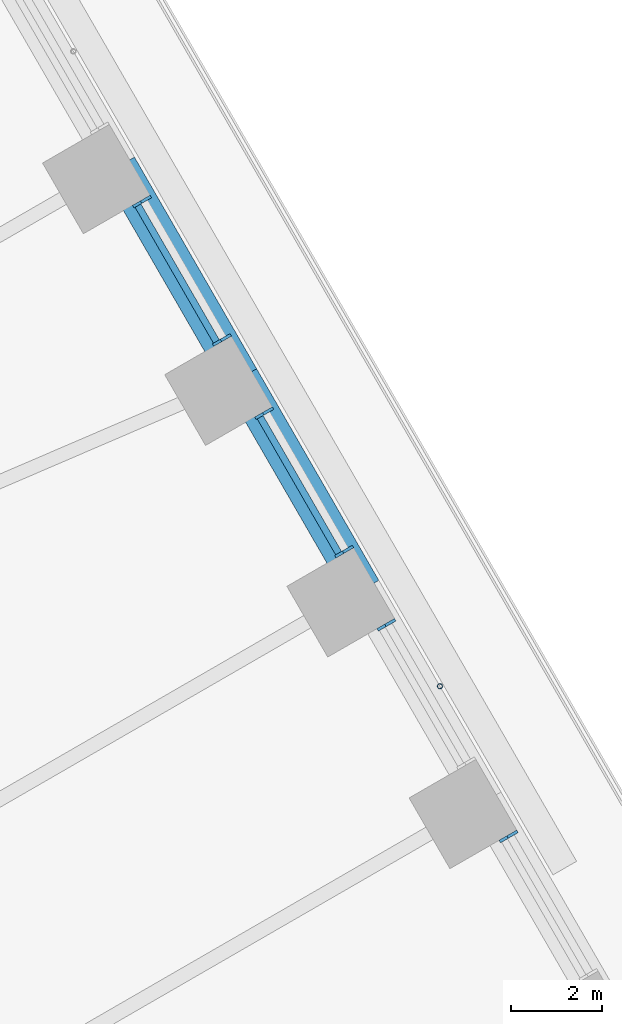
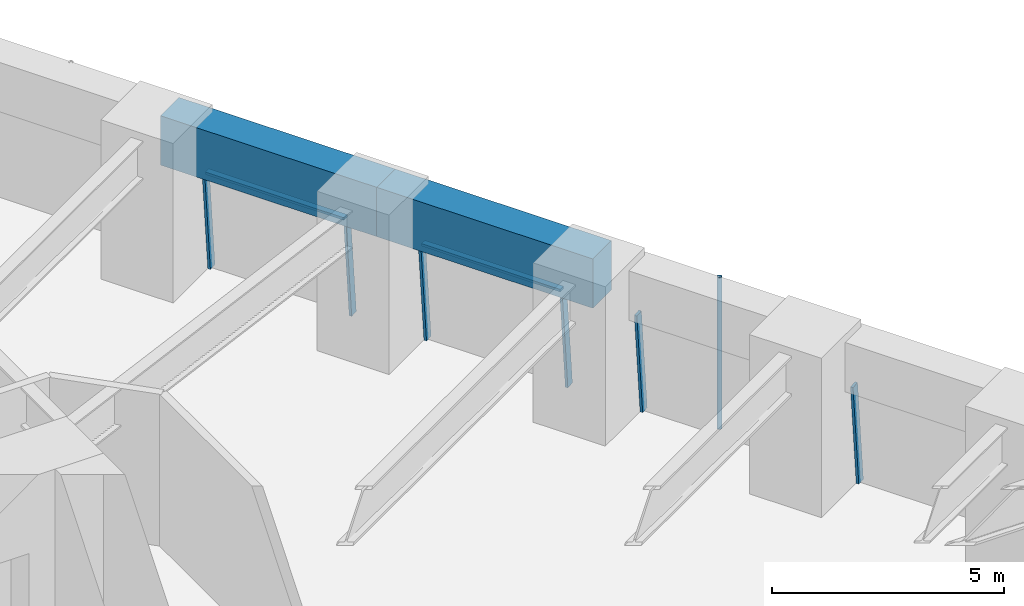
# One storey, part 13 of 23: 9 members, 2 beams, 4 elements without a shape of their own.
"""IFC4 building model written with IfcOpenShell, lengths in metres."""

from ifc_helpers import new_model, si_unit, direction, frame, origin, origin_2d, place, context, subcontext, project, spatial, rectangle, hollow_circle, extrude, material, material_profile, profile_set, type_object, element, aggregate, save


model = new_model("IFC4")

# Units and contexts
model_context = context("Model", 3, precision=1e-05, world=origin(), true_north=direction((0.0, 1.0)))
body_context = subcontext(model_context, "Body", "Model", "MODEL_VIEW")
ifc_project = project(units=[si_unit("LENGTHUNIT", "METRE"), si_unit("AREAUNIT", "SQUARE_METRE"), si_unit("VOLUMEUNIT", "CUBIC_METRE"), si_unit("PLANEANGLEUNIT", "RADIAN"), si_unit("MASSUNIT", "GRAM", prefix="KILO")], contexts=[model_context])

# Site, building, storey
site_placement = place(None, origin())
site = spatial("IfcSite", under=ifc_project, at=site_placement, CompositionType="ELEMENT")
building_placement = place(site_placement, origin())
building = spatial("IfcBuilding", under=site, at=building_placement, Name="Tarfa Lantern Tower", CompositionType="ELEMENT")
storey_placement = place(building_placement, frame((0.0, 0.0, 86.5)))
storey = spatial("IfcBuildingStorey", under=building, at=storey_placement, Name="L19", CompositionType="ELEMENT", Elevation=86.5)

# Curtain wall, member
ifc_material_1 = material(Name="Aluminium framed curtain wall", Category="aluminium")
curtain_wall_type = type_object("IfcCurtainWallType", Name="CW1 CANTED GLAZING LOW ZONE 2700", PredefinedType="USERDEFINED", material=ifc_material_1)
curtain_wall_1_placement = place(storey_placement, origin())
curtain_wall_1 = element("IfcCurtainWall", 1, at=curtain_wall_1_placement, inside=storey, type_object=curtain_wall_type, Name="CW1 NE L19", ObjectType="CURTAIN WALL", PredefinedType="USERDEFINED")
ifc_material_2 = material(Name="Aluminium mullion", Category="aluminium")
ifc_material_profile_1 = material_profile(ifc_material_2, rectangle(XDim=0.06494140625, YDim=0.199951171875, at=origin_2d()), Name="AL MULLION 65x200")
ifc_profile_set_1 = profile_set([ifc_material_profile_1], Name="Aluminium mullion")
member_type_1 = type_object("IfcMemberType", Name="CWM1 MULLION 65x200", PredefinedType="MULLION", material=ifc_profile_set_1)
member_1_placement = place(storey_placement, frame((35.213134765625, 6.80908203125, 0.0), z_axis=(-0.07986442134, -0.046099868913, 0.99573916077), x_axis=(0.499919672301, -0.866071776036, 0.0)))
member_1 = element("IfcMember", 2, at=member_1_placement, type_object=member_type_1, Name="CW1 mullion 2", PredefinedType="MULLION", context=body_context, shape_type="SweptSolid", body=[
    extrude(rectangle(XDim=0.06494140625, YDim=0.199951171875, at=origin_2d()), origin(), (0.0, 0.0, 1.0), 2.71142578125),
])
aggregate(curtain_wall_1, [member_1])

curtain_wall_2_placement = place(storey_placement, origin())
curtain_wall_2 = element("IfcCurtainWall", 3, at=curtain_wall_2_placement, inside=storey, type_object=curtain_wall_type, Name="CW1 NE L19", ObjectType="CURTAIN WALL", PredefinedType="USERDEFINED")
member_2_placement = place(storey_placement, frame((32.518798828125, 11.475830078125, 0.0), z_axis=(-0.07986442134, -0.046099868913, 0.99573916077), x_axis=(0.499919672301, -0.866071776036, 0.0)))
member_2 = element("IfcMember", 4, at=member_2_placement, type_object=member_type_1, Name="CW1 mullion 2", PredefinedType="MULLION", context=body_context, shape_type="SweptSolid", body=[
    extrude(rectangle(XDim=0.06494140625, YDim=0.199951171875, at=origin_2d()), origin(), (0.0, 0.0, 1.0), 2.71142578125),
])
aggregate(curtain_wall_2, [member_2])

# Curtain wall, members
curtain_wall_3_placement = place(storey_placement, origin())
curtain_wall_3 = element("IfcCurtainWall", 5, at=curtain_wall_3_placement, inside=storey, type_object=curtain_wall_type, Name="CW1 NE L19", ObjectType="CURTAIN WALL", PredefinedType="USERDEFINED")
member_3_placement = place(storey_placement, frame((31.58642578125, 13.0908203125, 0.0), z_axis=(-0.07986442134, -0.046099868913, 0.99573916077), x_axis=(0.499919672301, -0.866071776036, 0.0)))
member_3 = element("IfcMember", 6, at=member_3_placement, type_object=member_type_1, Name="CW1 mullion 1", PredefinedType="MULLION", context=body_context, shape_type="SweptSolid", body=[
    extrude(rectangle(XDim=0.06494140625, YDim=0.199951171875, at=origin_2d()), origin(), (0.0, 0.0, 1.0), 2.71142578125),
])
member_4_placement = place(storey_placement, frame((29.824462890625, 16.142333984375, 0.0), z_axis=(-0.07986442134, -0.046099868913, 0.99573916077), x_axis=(0.499919672301, -0.866071776036, 0.0)))
member_4 = element("IfcMember", 7, at=member_4_placement, type_object=member_type_1, Name="CW1 mullion 2", PredefinedType="MULLION", context=body_context, shape_type="SweptSolid", body=[
    extrude(rectangle(XDim=0.06494140625, YDim=0.199951171875, at=origin_2d()), origin(), (0.0, 0.0, 1.0), 2.71142578125),
])

curtain_wall_4_placement = place(storey_placement, origin())
curtain_wall_4 = element("IfcCurtainWall", 8, at=curtain_wall_4_placement, inside=storey, type_object=curtain_wall_type, Name="CW1 NE L19", ObjectType="CURTAIN WALL", PredefinedType="USERDEFINED")
member_5_placement = place(storey_placement, frame((28.89208984375, 17.757568359375, 0.0), z_axis=(-0.07986442134, -0.046099868913, 0.99573916077), x_axis=(0.499919672301, -0.866071776036, 0.0)))
member_5 = element("IfcMember", 9, at=member_5_placement, type_object=member_type_1, Name="CW1 mullion 1", PredefinedType="MULLION", context=body_context, shape_type="SweptSolid", body=[
    extrude(rectangle(XDim=0.06494140625, YDim=0.199951171875, at=origin_2d()), origin(), (0.0, 0.0, 1.0), 2.71142578125),
])
member_6_placement = place(storey_placement, frame((27.130126953125, 20.80908203125, 0.0), z_axis=(-0.079774955866, -0.04610020023, 0.995746317068), x_axis=(0.500342721131, -0.865827443207, 0.0)))
member_6 = element("IfcMember", 10, at=member_6_placement, type_object=member_type_1, Name="CW1 mullion 2", PredefinedType="MULLION", context=body_context, shape_type="SweptSolid", body=[
    extrude(rectangle(XDim=0.06494140625, YDim=0.199951171875, at=origin_2d()), origin(), (0.0, 0.0, 1.0), 2.71142578125),
])

# Member
ifc_material_3 = material(Name="Aluminium transom", Category="aluminium")
ifc_material_profile_2 = material_profile(ifc_material_3, rectangle(XDim=0.14990234375, YDim=0.06494140625, at=origin_2d()), Name="AL TRANSOM 150x65")
ifc_profile_set_2 = profile_set([ifc_material_profile_2], Name="Aluminium transom")
member_type_2 = type_object("IfcMemberType", Name="CWT1 TRANSOM 150x65", PredefinedType="USERDEFINED", material=ifc_profile_set_2)
member_7_placement = place(storey_placement, frame((31.356201171875, 12.99560546875, 2.66748046875), z_axis=(-0.500003541824, 0.866023358902, 0.0), x_axis=(-0.866023358902, -0.500003541824, 0.0)))
member_7 = element("IfcMember", 11, at=member_7_placement, type_object=member_type_2, Name="CW1 transom 1.2", ObjectType="TRANSOM", PredefinedType="USERDEFINED", context=body_context, shape_type="SweptSolid", body=[
    extrude(rectangle(XDim=0.14990234375, YDim=0.06494140625, at=origin_2d()), origin(), (0.0, 0.0, 1.0), 3.45849609375),
])

aggregate(curtain_wall_3, [member_3, member_4, member_7])

member_8_placement = place(storey_placement, frame((28.661865234375, 17.662109375, 2.66748046875), z_axis=(-0.49997297598, 0.866041005548, 0.0), x_axis=(-0.866041005548, -0.49997297598, 0.0)))
member_8 = element("IfcMember", 12, at=member_8_placement, type_object=member_type_2, Name="CW1 transom 1.2", ObjectType="TRANSOM", PredefinedType="USERDEFINED", context=body_context, shape_type="SweptSolid", body=[
    extrude(rectangle(XDim=0.14990234375, YDim=0.06494140625, at=origin_2d()), origin(), (0.0, 0.0, 1.0), 3.458740234375),
])

aggregate(curtain_wall_4, [member_5, member_6, member_8])

# Beams
ifc_material_4 = material(Name="Concrete C80/95", Category="concrete")
ifc_material_profile_3 = material_profile(ifc_material_4, rectangle(XDim=0.800048828125, YDim=1.300048828125, at=origin_2d()), Name="RC 800x1300")
ifc_profile_set_3 = profile_set([ifc_material_profile_3], Name="Concrete C80/95")
beam_type = type_object("IfcBeamType", Name="EB1 RC 800x1300", PredefinedType="SPANDREL", material=ifc_profile_set_3)
beam_1_placement = place(storey_placement, frame((31.896728515625, 12.193359375, 3.35009765625), z_axis=(-0.499998287579, 0.866026392449, 0.0), x_axis=(-0.866026392449, -0.499998287579, 0.0)))
element("IfcBeam", 13, at=beam_1_placement, inside=storey, type_object=beam_type, Name="Edge beam NE2", PredefinedType="SPANDREL", context=body_context, shape_type="SweptSolid", body=[
    extrude(rectangle(XDim=0.800048828125, YDim=1.300048828125, at=origin_2d()), origin(), (0.0, 0.0, 1.0), 5.388671875),
])
beam_2_placement = place(storey_placement, frame((29.202392578125, 16.860107421875, 3.35009765625), z_axis=(-0.500017906299, 0.866015065331, 0.0), x_axis=(-0.866015065331, -0.500017906299, 0.0)))
element("IfcBeam", 14, at=beam_2_placement, inside=storey, type_object=beam_type, Name="Edge beam NE3", PredefinedType="SPANDREL", context=body_context, shape_type="SweptSolid", body=[
    extrude(rectangle(XDim=0.800048828125, YDim=1.300048828125, at=origin_2d()), origin(), (0.0, 0.0, 1.0), 5.388427734375),
])

# Member
ifc_material_5 = material(Name="Steel S355", Category="steel")
ifc_material_profile_4 = material_profile(ifc_material_5, hollow_circle(Radius=0.05712890625, WallThickness=0.00634765625, at=origin_2d()), Name="CHS114.3x6.3")
ifc_profile_set_4 = profile_set([ifc_material_profile_4], Name="Steel S355")
member_type_3 = type_object("IfcMemberType", Name="TR1 GREEN WALL TRELLIS CHS114.3x6.3", PredefinedType="USERDEFINED", material=ifc_profile_set_4)
member_9_placement = place(storey_placement, frame((33.59033203125, 10.06005859375, 0.0), z_axis=(0.0, 0.0, 1.0), x_axis=(1.0, 0.0, 0.0)))
element("IfcMember", 15, at=member_9_placement, inside=storey, type_object=member_type_3, Name="Trellis post NE 1", ObjectType="TRELLIS", PredefinedType="USERDEFINED", context=body_context, shape_type="SweptSolid", body=[
    extrude(hollow_circle(Radius=0.05712890625, WallThickness=0.00634765625, at=origin_2d()), origin(), (0.0, 0.0, 1.0), 4.0),
])

save(model, "model.ifc")
